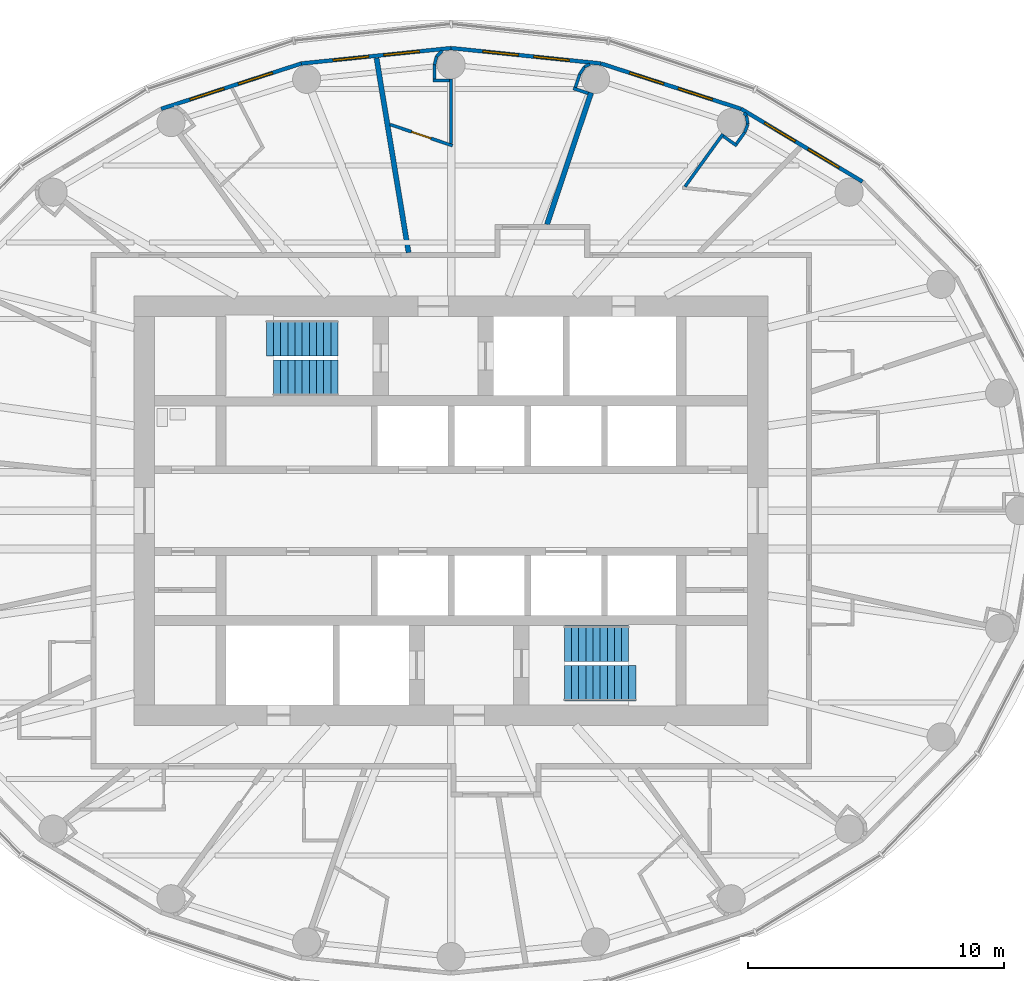
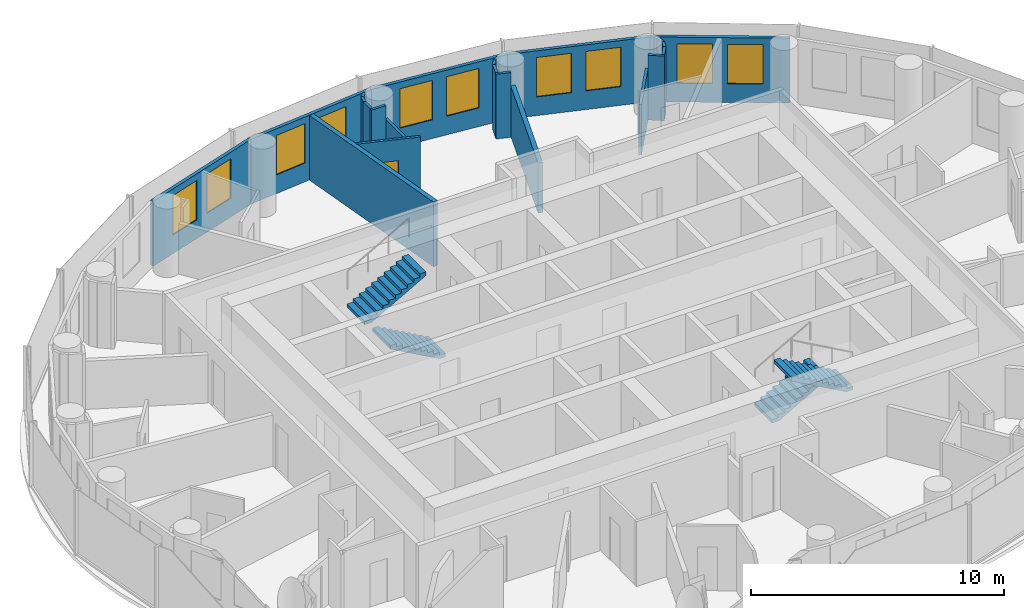
# One storey, part 12 of 14: 23 walls, 10 windows, 4 stair flights, 1 door, 11 openings, 2 elements without a shape of their own.
"""IFC4 building model written with IfcOpenShell, lengths in metres."""

import ifcopenshell
import ifcopenshell.guid

model = None  # the IFC model being written
_history = None  # IfcOwnerHistory: only IFC2X3 demands one
_inside = {}  # id of a spatial element -> (the spatial element, [elements in it])
_under = {}  # id of a project, library or spatial element -> (it, [spatial elements below it])
_declared = {}  # id of a project -> (the project, [libraries it declares])
_typed = {}  # id of a type object -> (the type object, [elements of that type])
_made_of = {}  # id of a material, layer set ... -> (it, [elements and type objects made of it])


def new_model(schema):
    """Start an empty IFC model of exactly this schema.

    Asked for "IFC4X3", IfcOpenShell would pick the latest addendum, in which some entities
    have other attributes; the version numbers below select the first issue.
    IFC2X3 requires an IfcOwnerHistory on every rooted entity: one is made here for all.
    """
    global model, _history
    if schema == "IFC4X3":
        model = ifcopenshell.file(schema_version=(4, 3, 0, 0))
    else:
        model = ifcopenshell.file(schema=schema)
    _inside.clear()
    _under.clear()
    _declared.clear()
    _typed.clear()
    _made_of.clear()
    _history = None
    if model.schema == "IFC2X3":
        org = make("IfcOrganization", Name="unknown")
        user = make(
            "IfcPersonAndOrganization",
            ThePerson=make("IfcPerson", FamilyName="unknown"),
            TheOrganization=org,
        )
        app = make(
            "IfcApplication",
            ApplicationDeveloper=org,
            Version="unknown",
            ApplicationFullName="unknown",
            ApplicationIdentifier="unknown",
        )
        _history = make(
            "IfcOwnerHistory",
            OwningUser=user,
            OwningApplication=app,
            ChangeAction="ADDED",
            CreationDate=0,
        )
    return model


def make(cls, **values):
    """One entity of the class cls with the attributes given. An attribute that is None is left unset."""
    return model.create_entity(
        cls, **{name: value for name, value in values.items() if value is not None}
    )


def rooted(cls, **values):
    """An entity with a GlobalId (a new one), such as an element, a storey or a relation."""
    return make(cls, GlobalId=ifcopenshell.guid.new(), OwnerHistory=_history, **values)


def si_unit(unit_type, name, prefix=None):
    """IfcSIUnit, for example si_unit("LENGTHUNIT", "METRE", prefix="MILLI")."""
    return make("IfcSIUnit", UnitType=unit_type, Prefix=prefix, Name=name)


def assignment(units):
    """IfcUnitAssignment: the units of a project."""
    return None if units is None else make("IfcUnitAssignment", Units=units)


def point(xyz):
    """IfcCartesianPoint."""
    return None if xyz is None else make("IfcCartesianPoint", Coordinates=xyz)


def direction(xyz):
    """IfcDirection."""
    return None if xyz is None else make("IfcDirection", DirectionRatios=xyz)


def frame(location, z_axis=None, x_axis=None):
    """IfcAxis2Placement3D, a coordinate frame: its origin and axes. An axis left out is left unset."""
    return make(
        "IfcAxis2Placement3D",
        Location=point(location),
        Axis=direction(z_axis),
        RefDirection=direction(x_axis),
    )


def frame_2d(location, x_axis=None):
    """IfcAxis2Placement2D, a coordinate frame in the plane: its origin and x axis."""
    return make(
        "IfcAxis2Placement2D", Location=point(location), RefDirection=direction(x_axis)
    )


def origin():
    """The frame at (0, 0, 0) with its axes left unset."""
    return frame((0.0, 0.0, 0.0))


def place(relative_to, where):
    """IfcLocalPlacement: puts the frame where relative to a parent placement (None: the world)."""
    return make(
        "IfcLocalPlacement", PlacementRelTo=relative_to, RelativePlacement=where
    )


def context(
    kind, dimensions, precision=None, world=None, true_north=None, identifier=None
):
    """IfcGeometricRepresentationContext, for example the 3D "Model" context."""
    return make(
        "IfcGeometricRepresentationContext",
        ContextIdentifier=identifier,
        ContextType=kind,
        CoordinateSpaceDimension=dimensions,
        Precision=precision,
        WorldCoordinateSystem=world,
        TrueNorth=true_north,
    )


def subcontext(parent, identifier, kind, view, scale=None):
    """IfcGeometricRepresentationSubContext, for example "Body" below "Model"."""
    return make(
        "IfcGeometricRepresentationSubContext",
        ContextIdentifier=identifier,
        ContextType=kind,
        ParentContext=parent,
        TargetScale=scale,
        TargetView=view,
    )


def project(units=None, contexts=None):
    """IfcProject with its units and contexts."""
    return rooted(
        "IfcProject",
        Name="project",
        RepresentationContexts=contexts,
        UnitsInContext=assignment(units),
    )


def spatial(cls, under=None, at=None, **own):
    """A site, building, storey or space (cls), placed at a placement, below another one or the project."""
    s = rooted(cls, ObjectPlacement=at, **own)
    if under is not None:
        _under.setdefault(under.id(), (under, []))[1].append(s)
    return s


def polyline(points):
    """IfcPolyline through the points."""
    return make("IfcPolyline", Points=[point(p) for p in points])


def profile(cls, at=None, kind="AREA", **sizes):
    """A parametric profile (cls). Its sizes go by their IFC names, for example OverallWidth=200.0."""
    return make(cls, ProfileType=kind, Position=at, **sizes)


def rectangle(**sizes):
    """IfcRectangleProfileDef."""
    return profile("IfcRectangleProfileDef", **sizes)


def outline(outer, holes=None, kind="AREA"):
    """IfcArbitraryClosedProfileDef: a profile drawn as a closed curve; with holes, ...WithVoids."""
    if holes is None:
        return make("IfcArbitraryClosedProfileDef", ProfileType=kind, OuterCurve=outer)
    return make(
        "IfcArbitraryProfileDefWithVoids",
        ProfileType=kind,
        OuterCurve=outer,
        InnerCurves=holes,
    )


def extrude(swept, where, along, depth):
    """IfcExtrudedAreaSolid: the profile swept, set in the frame where, extruded along a direction by depth."""
    return make(
        "IfcExtrudedAreaSolid",
        SweptArea=swept,
        Position=where,
        ExtrudedDirection=direction(along),
        Depth=depth,
    )


def shape(context_of_items, identifier, shape_type, items):
    """IfcShapeRepresentation: the items that make up one representation, for example the "Body"."""
    return make(
        "IfcShapeRepresentation",
        ContextOfItems=context_of_items,
        RepresentationIdentifier=identifier,
        RepresentationType=shape_type,
        Items=items,
    )


def material(Name=None, Category=None):
    """IfcMaterial."""
    return make("IfcMaterial", Name=Name, Category=Category)


def layer(
    of_material, thickness, ventilated=None, Name=None, Category=None, Priority=None
):
    """IfcMaterialLayer: one layer of a wall or slab, of a material (None: an air gap)."""
    return make(
        "IfcMaterialLayer",
        Material=of_material,
        LayerThickness=thickness,
        IsVentilated=ventilated,
        Name=Name,
        Category=Category,
        Priority=Priority,
    )


def layer_set(layers, Name=None):
    """IfcMaterialLayerSet."""
    return make("IfcMaterialLayerSet", MaterialLayers=layers, LayerSetName=Name)


def made_of(thing, what):
    """Note that an element or type object is made of a material, layer set ...; save() writes the relation."""
    if what is not None:
        _made_of.setdefault(what.id(), (what, []))[1].append(thing)
    return thing


def type_object(cls, material=None, **own):
    """A type object (cls), such as IfcWallType, which elements share."""
    return made_of(rooted(cls, **own), material)


def element(
    cls,
    number,
    at=None,
    inside=None,
    cuts=None,
    type_object=None,
    material=None,
    context=None,
    identifier="Body",
    shape_type=None,
    held_by="IfcProductDefinitionShape",
    body=None,
    shapes=None,
    **own,
):
    """One element of the class cls, such as IfcWall. Its Tag is "e" and its number.

    at: its placement. inside: the storey or other place that contains it. cuts: it is an
    opening in that element (IfcRelVoidsElement). A single representation is given by context,
    identifier, shape_type and body (its items); several are given by shapes. held_by: the class
    of the entity that holds the representations. save() writes the other relations.
    """
    e = rooted(cls, Tag="e%d" % number, ObjectPlacement=at, **own)
    if body is not None:
        shapes = [shape(context, identifier, shape_type, body)]
    if shapes is not None:
        e.Representation = make(held_by, Representations=shapes)
    if inside is not None:
        _inside.setdefault(inside.id(), (inside, []))[1].append(e)
    if cuts is not None:
        rooted(
            "IfcRelVoidsElement", RelatingBuildingElement=cuts, RelatedOpeningElement=e
        )
    if type_object is not None:
        _typed.setdefault(type_object.id(), (type_object, []))[1].append(e)
    return made_of(e, material)


def fill(opening, filler):
    """IfcRelFillsElement: the door or window that sits in an opening."""
    return rooted(
        "IfcRelFillsElement",
        RelatingOpeningElement=opening,
        RelatedBuildingElement=filler,
    )


def aggregate(whole, parts):
    """IfcRelAggregates: a whole, such as a stair, and the parts it consists of."""
    return rooted("IfcRelAggregates", RelatingObject=whole, RelatedObjects=parts)


def save(model, path):
    """Write the relations noted so far, then the file.

    IfcRelAggregates (storeys below a building ...), IfcRelContainedInSpatialStructure (elements
    in a storey), IfcRelDefinesByType, IfcRelAssociatesMaterial and IfcRelDeclares: one each for
    every whole, place, type object, material and project.
    """
    for whole, parts in _under.values():
        aggregate(whole, parts)
    for where, things in _inside.values():
        rooted(
            "IfcRelContainedInSpatialStructure",
            RelatedElements=things,
            RelatingStructure=where,
        )
    for kind, things in _typed.values():
        rooted("IfcRelDefinesByType", RelatedObjects=things, RelatingType=kind)
    for what, things in _made_of.values():
        rooted("IfcRelAssociatesMaterial", RelatedObjects=things, RelatingMaterial=what)
    for by, libraries in _declared.values():
        rooted("IfcRelDeclares", RelatingContext=by, RelatedDefinitions=libraries)
    model.write(path)


model = new_model("IFC4")

# Units and contexts
model_context = context("Model", 3, precision=1e-05, world=origin(), true_north=direction((0.0, 1.0)))
body_context = subcontext(model_context, "Body", "Model", "MODEL_VIEW")
ifc_project = project(units=[si_unit("LENGTHUNIT", "METRE"), si_unit("AREAUNIT", "SQUARE_METRE"), si_unit("VOLUMEUNIT", "CUBIC_METRE"), si_unit("PLANEANGLEUNIT", "RADIAN"), si_unit("MASSUNIT", "GRAM", prefix="KILO")], contexts=[model_context])

# Site, building, storey
site_placement = place(None, origin())
site = spatial("IfcSite", under=ifc_project, at=site_placement, CompositionType="ELEMENT")
building_placement = place(site_placement, origin())
building = spatial("IfcBuilding", under=site, at=building_placement, Name="Hankou Lantern Tower", CompositionType="ELEMENT")
storey_placement = place(building_placement, frame((0.0, 0.0, 176.39990234375)))
storey = spatial("IfcBuildingStorey", under=building, at=storey_placement, Name="L47", CompositionType="ELEMENT", Elevation=176.39990234375)

# Wall, openings, windows
ifc_material_1 = material(Name="Aluminium spandrel panel on steel studs", Category="steel")
ifc_layer_1 = layer(ifc_material_1, 0.14990234375)
ifc_layer_set_1 = layer_set([ifc_layer_1], Name="Aluminium spandrel panel on steel studs")
wall_type_1 = type_object("IfcWallType", Name="EW1 INNER SKIN WALL 150", PredefinedType="ELEMENTEDWALL", material=ifc_layer_set_1)
wall_1_placement = place(storey_placement, frame((16.0947265625, 12.875732421875, 0.0), z_axis=(0.0, 0.0, 1.0), x_axis=(-0.857695199231, 0.514158482587, 0.0)))
wall_1 = element("IfcWall", 1, at=wall_1_placement, inside=storey, type_object=wall_type_1, Name="Inner skin R04-R05 L47", PredefinedType="ELEMENTEDWALL", context=body_context, shape_type="SweptSolid", body=[
    extrude(rectangle(XDim=5.5361328125, YDim=0.14990234375, at=frame_2d((2.76806640625, 0.0))), origin(), (0.0, 0.0, 1.0), 3.1201171875),
])
opening_1_placement = place(wall_1_placement, frame((1.068115234375, 0.0, 0.89990234375)))
opening_1 = element("IfcOpeningElement", 2, at=opening_1_placement, cuts=wall_1, Name="Opening W3", PredefinedType="OPENING", context=body_context, shape_type="SweptSolid", body=[
    extrude(rectangle(XDim=1.39990234375, YDim=1.89990234375, at=frame_2d((0.699951171875, 0.949951171875))), frame((0.0, 0.0849609375, 0.0), z_axis=(0.0, -1.0, 0.0), x_axis=(1.0, 0.0, 0.0)), (0.0, 0.0, 1.0), 0.169921875),
])
opening_2_placement = place(wall_1_placement, frame((3.068115234375, 0.0, 0.89990234375)))
opening_2 = element("IfcOpeningElement", 3, at=opening_2_placement, cuts=wall_1, Name="Opening W3", PredefinedType="OPENING", context=body_context, shape_type="SweptSolid", body=[
    extrude(rectangle(XDim=1.39990234375, YDim=1.89990234375, at=frame_2d((0.699951171875, 0.949951171875))), frame((0.0, 0.0849609375, 0.0), z_axis=(0.0, -1.0, 0.0), x_axis=(1.0, 0.0, 0.0)), (0.0, 0.0, 1.0), 0.169921875),
])
ifc_material_2 = material(Name="Aluminium framed double glazed window", Category="aluminium")
window_type = type_object("IfcWindowType", Name="W3 GUEST ROOM WINDOW 1400X1900", PartitioningType="DOUBLE_PANEL_VERTICAL", PredefinedType="WINDOW", material=ifc_material_2)
window_1_placement = place(opening_1_placement, origin())
window_1 = element("IfcWindow", 4, at=window_1_placement, inside=storey, type_object=window_type, Name="Window R04.1 L47", OverallHeight=1.89990234375, OverallWidth=1.39990234375, PartitioningType="SINGLE_PANEL", PredefinedType="WINDOW", context=body_context, shape_type="SweptSolid", body=[
    extrude(rectangle(XDim=1.39990234375, YDim=1.89990234375, at=frame_2d((0.699951171875, 0.949951171875))), frame((0.0, 0.030029296875, 0.0), z_axis=(0.0, -1.0, 0.0), x_axis=(1.0, 0.0, 0.0)), (0.0, 0.0, 1.0), 0.06005859375),
])
fill(opening_1, window_1)
window_2_placement = place(opening_2_placement, origin())
window_2 = element("IfcWindow", 5, at=window_2_placement, inside=storey, type_object=window_type, Name="Window R04.2 L47", OverallHeight=1.89990234375, OverallWidth=1.39990234375, PartitioningType="SINGLE_PANEL", PredefinedType="WINDOW", context=body_context, shape_type="SweptSolid", body=[
    extrude(rectangle(XDim=1.39990234375, YDim=1.89990234375, at=frame_2d((0.699951171875, 0.949951171875))), frame((0.0, 0.030029296875, 0.0), z_axis=(0.0, -1.0, 0.0), x_axis=(1.0, 0.0, 0.0)), (0.0, 0.0, 1.0), 0.06005859375),
])
fill(opening_2, window_2)

wall_2_placement = place(storey_placement, frame((11.346435546875, 15.72216796875, 0.0), z_axis=(0.0, 0.0, 1.0), x_axis=(-0.951432482129, 0.307857486429, 0.0)))
wall_2 = element("IfcWall", 6, at=wall_2_placement, inside=storey, type_object=wall_type_1, Name="Inner skin R05-R06 L47", PredefinedType="ELEMENTEDWALL", context=body_context, shape_type="SweptSolid", body=[
    extrude(rectangle(XDim=5.76611328125, YDim=0.14990234375, at=frame_2d((2.883056640625, 0.0))), origin(), (0.0, 0.0, 1.0), 3.1201171875),
])
opening_3_placement = place(wall_2_placement, frame((1.18310546875, 0.0, 0.89990234375)))
opening_3 = element("IfcOpeningElement", 7, at=opening_3_placement, cuts=wall_2, Name="Opening W3", PredefinedType="OPENING", context=body_context, shape_type="SweptSolid", body=[
    extrude(rectangle(XDim=1.39990234375, YDim=1.89990234375, at=frame_2d((0.699951171875, 0.949951171875))), frame((0.0, 0.0849609375, 0.0), z_axis=(0.0, -1.0, 0.0), x_axis=(1.0, 0.0, 0.0)), (0.0, 0.0, 1.0), 0.169921875),
])
opening_4_placement = place(wall_2_placement, frame((3.18310546875, 0.0, 0.89990234375)))
opening_4 = element("IfcOpeningElement", 8, at=opening_4_placement, cuts=wall_2, Name="Opening W3", PredefinedType="OPENING", context=body_context, shape_type="SweptSolid", body=[
    extrude(rectangle(XDim=1.39990234375, YDim=1.89990234375, at=frame_2d((0.699951171875, 0.949951171875))), frame((0.0, 0.0849609375, 0.0), z_axis=(0.0, -1.0, 0.0), x_axis=(1.0, 0.0, 0.0)), (0.0, 0.0, 1.0), 0.169921875),
])
window_3_placement = place(opening_3_placement, origin())
window_3 = element("IfcWindow", 9, at=window_3_placement, inside=storey, type_object=window_type, Name="Window R05.1 L47", OverallHeight=1.89990234375, OverallWidth=1.39990234375, PartitioningType="SINGLE_PANEL", PredefinedType="WINDOW", context=body_context, shape_type="SweptSolid", body=[
    extrude(rectangle(XDim=1.39990234375, YDim=1.89990234375, at=frame_2d((0.699951171875, 0.949951171875))), frame((0.0, 0.030029296875, 0.0), z_axis=(0.0, -1.0, 0.0), x_axis=(1.0, 0.0, 0.0)), (0.0, 0.0, 1.0), 0.06005859375),
])
fill(opening_3, window_3)
window_4_placement = place(opening_4_placement, origin())
window_4 = element("IfcWindow", 10, at=window_4_placement, inside=storey, type_object=window_type, Name="Window R05.2 L47", OverallHeight=1.89990234375, OverallWidth=1.39990234375, PartitioningType="SINGLE_PANEL", PredefinedType="WINDOW", context=body_context, shape_type="SweptSolid", body=[
    extrude(rectangle(XDim=1.39990234375, YDim=1.89990234375, at=frame_2d((0.699951171875, 0.949951171875))), frame((0.0, 0.030029296875, 0.0), z_axis=(0.0, -1.0, 0.0), x_axis=(1.0, 0.0, 0.0)), (0.0, 0.0, 1.0), 0.06005859375),
])
fill(opening_4, window_4)

wall_3_placement = place(storey_placement, frame((5.8603515625, 17.497314453125, 0.0), z_axis=(0.0, 0.0, 1.0), x_axis=(-0.994751738032, 0.102318032045, 0.0)))
wall_3 = element("IfcWall", 11, at=wall_3_placement, inside=storey, type_object=wall_type_1, Name="Inner skin R06-R07 L47", PredefinedType="ELEMENTEDWALL", context=body_context, shape_type="SweptSolid", body=[
    extrude(rectangle(XDim=5.891357421875, YDim=0.14990234375, at=frame_2d((2.94580078125, 0.0))), origin(), (0.0, 0.0, 1.0), 3.1201171875),
])
opening_5_placement = place(wall_3_placement, frame((1.24560546875, 0.0, 0.89990234375)))
opening_5 = element("IfcOpeningElement", 12, at=opening_5_placement, cuts=wall_3, Name="Opening W3", PredefinedType="OPENING", context=body_context, shape_type="SweptSolid", body=[
    extrude(rectangle(XDim=1.39990234375, YDim=1.89990234375, at=frame_2d((0.699951171875, 0.949951171875))), frame((0.0, 0.0849609375, 0.0), z_axis=(0.0, -1.0, 0.0), x_axis=(1.0, 0.0, 0.0)), (0.0, 0.0, 1.0), 0.169921875),
])
opening_6_placement = place(wall_3_placement, frame((3.24560546875, 0.0, 0.89990234375)))
opening_6 = element("IfcOpeningElement", 13, at=opening_6_placement, cuts=wall_3, Name="Opening W3", PredefinedType="OPENING", context=body_context, shape_type="SweptSolid", body=[
    extrude(rectangle(XDim=1.39990234375, YDim=1.89990234375, at=frame_2d((0.699951171875, 0.949951171875))), frame((0.0, 0.0849609375, 0.0), z_axis=(0.0, -1.0, 0.0), x_axis=(1.0, 0.0, 0.0)), (0.0, 0.0, 1.0), 0.169921875),
])
window_5_placement = place(opening_5_placement, origin())
window_5 = element("IfcWindow", 14, at=window_5_placement, inside=storey, type_object=window_type, Name="Window R06.1 L47", OverallHeight=1.89990234375, OverallWidth=1.39990234375, PartitioningType="SINGLE_PANEL", PredefinedType="WINDOW", context=body_context, shape_type="SweptSolid", body=[
    extrude(rectangle(XDim=1.39990234375, YDim=1.89990234375, at=frame_2d((0.699951171875, 0.949951171875))), frame((0.0, 0.030029296875, 0.0), z_axis=(0.0, -1.0, 0.0), x_axis=(1.0, 0.0, 0.0)), (0.0, 0.0, 1.0), 0.06005859375),
])
fill(opening_5, window_5)
window_6_placement = place(opening_6_placement, origin())
window_6 = element("IfcWindow", 15, at=window_6_placement, inside=storey, type_object=window_type, Name="Window R06.2 L47", OverallHeight=1.89990234375, OverallWidth=1.39990234375, PartitioningType="SINGLE_PANEL", PredefinedType="WINDOW", context=body_context, shape_type="SweptSolid", body=[
    extrude(rectangle(XDim=1.39990234375, YDim=1.89990234375, at=frame_2d((0.699951171875, 0.949951171875))), frame((0.0, 0.030029296875, 0.0), z_axis=(0.0, -1.0, 0.0), x_axis=(1.0, 0.0, 0.0)), (0.0, 0.0, 1.0), 0.06005859375),
])
fill(opening_6, window_6)

wall_4_placement = place(storey_placement, frame((0.0, 18.10009765625, 0.0), z_axis=(0.0, 0.0, 1.0), x_axis=(-0.994751738032, -0.102318032045, 0.0)))
wall_4 = element("IfcWall", 16, at=wall_4_placement, inside=storey, type_object=wall_type_1, Name="Inner skin R07-R08 L47", PredefinedType="ELEMENTEDWALL", context=body_context, shape_type="SweptSolid", body=[
    extrude(rectangle(XDim=5.891357421875, YDim=0.14990234375, at=frame_2d((2.94580078125, 0.0))), origin(), (0.0, 0.0, 1.0), 3.1201171875),
])
opening_7_placement = place(wall_4_placement, frame((1.24560546875, 0.0, 0.89990234375)))
opening_7 = element("IfcOpeningElement", 17, at=opening_7_placement, cuts=wall_4, Name="Opening W3", PredefinedType="OPENING", context=body_context, shape_type="SweptSolid", body=[
    extrude(rectangle(XDim=1.39990234375, YDim=1.89990234375, at=frame_2d((0.699951171875, 0.949951171875))), frame((0.0, 0.0849609375, 0.0), z_axis=(0.0, -1.0, 0.0), x_axis=(1.0, 0.0, 0.0)), (0.0, 0.0, 1.0), 0.169921875),
])
opening_8_placement = place(wall_4_placement, frame((3.24560546875, 0.0, 0.89990234375)))
opening_8 = element("IfcOpeningElement", 18, at=opening_8_placement, cuts=wall_4, Name="Opening W3", PredefinedType="OPENING", context=body_context, shape_type="SweptSolid", body=[
    extrude(rectangle(XDim=1.39990234375, YDim=1.89990234375, at=frame_2d((0.699951171875, 0.949951171875))), frame((0.0, 0.0849609375, 0.0), z_axis=(0.0, -1.0, 0.0), x_axis=(1.0, 0.0, 0.0)), (0.0, 0.0, 1.0), 0.169921875),
])
window_7_placement = place(opening_7_placement, origin())
window_7 = element("IfcWindow", 19, at=window_7_placement, inside=storey, type_object=window_type, Name="Window R07.1 L47", OverallHeight=1.89990234375, OverallWidth=1.39990234375, PartitioningType="SINGLE_PANEL", PredefinedType="WINDOW", context=body_context, shape_type="SweptSolid", body=[
    extrude(rectangle(XDim=1.39990234375, YDim=1.89990234375, at=frame_2d((0.699951171875, 0.949951171875))), frame((0.0, 0.030029296875, 0.0), z_axis=(0.0, -1.0, 0.0), x_axis=(1.0, 0.0, 0.0)), (0.0, 0.0, 1.0), 0.06005859375),
])
fill(opening_7, window_7)
window_8_placement = place(opening_8_placement, origin())
window_8 = element("IfcWindow", 20, at=window_8_placement, inside=storey, type_object=window_type, Name="Window R07.2 L47", OverallHeight=1.89990234375, OverallWidth=1.39990234375, PartitioningType="SINGLE_PANEL", PredefinedType="WINDOW", context=body_context, shape_type="SweptSolid", body=[
    extrude(rectangle(XDim=1.39990234375, YDim=1.89990234375, at=frame_2d((0.699951171875, 0.949951171875))), frame((0.0, 0.030029296875, 0.0), z_axis=(0.0, -1.0, 0.0), x_axis=(1.0, 0.0, 0.0)), (0.0, 0.0, 1.0), 0.06005859375),
])
fill(opening_8, window_8)

wall_5_placement = place(storey_placement, frame((-5.8603515625, 17.497314453125, 0.0), z_axis=(0.0, 0.0, 1.0), x_axis=(-0.951432482129, -0.307857486429, 0.0)))
wall_5 = element("IfcWall", 21, at=wall_5_placement, inside=storey, type_object=wall_type_1, Name="Inner skin R08-R09 L47", PredefinedType="ELEMENTEDWALL", context=body_context, shape_type="SweptSolid", body=[
    extrude(rectangle(XDim=5.76611328125, YDim=0.14990234375, at=frame_2d((2.883056640625, 0.0))), origin(), (0.0, 0.0, 1.0), 3.1201171875),
])
opening_9_placement = place(wall_5_placement, frame((1.18310546875, 0.0, 0.89990234375)))
opening_9 = element("IfcOpeningElement", 22, at=opening_9_placement, cuts=wall_5, Name="Opening W3", PredefinedType="OPENING", context=body_context, shape_type="SweptSolid", body=[
    extrude(rectangle(XDim=1.39990234375, YDim=1.89990234375, at=frame_2d((0.699951171875, 0.949951171875))), frame((0.0, 0.0849609375, 0.0), z_axis=(0.0, -1.0, 0.0), x_axis=(1.0, 0.0, 0.0)), (0.0, 0.0, 1.0), 0.169921875),
])
opening_10_placement = place(wall_5_placement, frame((3.18310546875, 0.0, 0.89990234375)))
opening_10 = element("IfcOpeningElement", 23, at=opening_10_placement, cuts=wall_5, Name="Opening W3", PredefinedType="OPENING", context=body_context, shape_type="SweptSolid", body=[
    extrude(rectangle(XDim=1.39990234375, YDim=1.89990234375, at=frame_2d((0.699951171875, 0.949951171875))), frame((0.0, 0.0849609375, 0.0), z_axis=(0.0, -1.0, 0.0), x_axis=(1.0, 0.0, 0.0)), (0.0, 0.0, 1.0), 0.169921875),
])
window_9_placement = place(opening_9_placement, origin())
window_9 = element("IfcWindow", 24, at=window_9_placement, inside=storey, type_object=window_type, Name="Window R08.1 L47", OverallHeight=1.89990234375, OverallWidth=1.39990234375, PartitioningType="SINGLE_PANEL", PredefinedType="WINDOW", context=body_context, shape_type="SweptSolid", body=[
    extrude(rectangle(XDim=1.39990234375, YDim=1.89990234375, at=frame_2d((0.699951171875, 0.949951171875))), frame((0.0, 0.030029296875, 0.0), z_axis=(0.0, -1.0, 0.0), x_axis=(1.0, 0.0, 0.0)), (0.0, 0.0, 1.0), 0.06005859375),
])
fill(opening_9, window_9)
window_10_placement = place(opening_10_placement, origin())
window_10 = element("IfcWindow", 25, at=window_10_placement, inside=storey, type_object=window_type, Name="Window R08.2 L47", OverallHeight=1.89990234375, OverallWidth=1.39990234375, PartitioningType="SINGLE_PANEL", PredefinedType="WINDOW", context=body_context, shape_type="SweptSolid", body=[
    extrude(rectangle(XDim=1.39990234375, YDim=1.89990234375, at=frame_2d((0.699951171875, 0.949951171875))), frame((0.0, 0.030029296875, 0.0), z_axis=(0.0, -1.0, 0.0), x_axis=(1.0, 0.0, 0.0)), (0.0, 0.0, 1.0), 0.06005859375),
])
fill(opening_10, window_10)

# Walls
ifc_material_3 = material(Name="Masonry lightweight concrete block", Category="masonry")
ifc_layer_2 = layer(ifc_material_3, 0.199951171875)
ifc_layer_set_2 = layer_set([ifc_layer_2], Name="Masonry lightweight concrete block")
wall_type_2 = type_object("IfcWallType", Name="IW1 GUEST ROOM PARTY WALL 200", PredefinedType="PARTITIONING", material=ifc_layer_set_2)
wall_6_placement = place(storey_placement, frame((3.751220703125, 11.199951171875, 0.0), z_axis=(0.0, 0.0, 1.0), x_axis=(0.317614803807, 0.948219824937, 0.0)))
element("IfcWall", 26, at=wall_6_placement, inside=storey, type_object=wall_type_2, Name="Party wall R06", PredefinedType="PARTITIONING", context=body_context, shape_type="SweptSolid", body=[
    extrude(rectangle(XDim=5.4375, YDim=0.199951171875, at=frame_2d((2.71875, 0.0))), origin(), (0.0, 0.0, 1.0), 2.420166015625),
])
wall_7_placement = place(storey_placement, frame((-1.66552734375, 10.10009765625, 0.0), z_axis=(0.0, 0.0, 1.0), x_axis=(-0.162669562982, 0.986680603478, 0.0)))
element("IfcWall", 27, at=wall_7_placement, inside=storey, type_object=wall_type_2, Name="Party wall R07-R08", PredefinedType="PARTITIONING", context=body_context, shape_type="SweptSolid", body=[
    extrude(rectangle(XDim=7.7158203125, YDim=0.199951171875, at=frame_2d((3.85791015625, 0.0))), origin(), (0.0, 0.0, 1.0), 3.1201171875),
])
ifc_material_4 = material(Name="Masonry lightweight concrete block", Category="masonry")
ifc_layer_3 = layer(ifc_material_4, 0.1201171875)
ifc_layer_set_3 = layer_set([ifc_layer_3], Name="Masonry lightweight concrete block")
wall_type_3 = type_object("IfcWallType", Name="IW3 BATHROOM WALL 120", PredefinedType="PARTITIONING", material=ifc_layer_set_3)
wall_8_placement = place(storey_placement, frame((9.1513671875, 12.6806640625, 0.0), z_axis=(0.0, 0.0, 1.0), x_axis=(0.585258912334, 0.8108464747, 0.0)))
element("IfcWall", 28, at=wall_8_placement, inside=storey, type_object=wall_type_3, Name="Box wall 4708 2", PredefinedType="PARTITIONING", context=body_context, shape_type="SweptSolid", body=[
    extrude(rectangle(XDim=2.5400390625, YDim=0.1201171875, at=frame_2d((1.27001953125, 0.0))), origin(), (0.0, 0.0, 1.0), 2.420166015625),
])
wall_9_placement = place(storey_placement, frame((10.6513671875, 14.656494140625, 0.0), z_axis=(0.0, 0.0, 1.0), x_axis=(0.810916094797, -0.585162445137, 0.0)))
element("IfcWall", 29, at=wall_9_placement, inside=storey, type_object=wall_type_3, Name="Column casing 4708 return", PredefinedType="PARTITIONING", context=body_context, shape_type="SweptSolid", body=[
    extrude(rectangle(XDim=0.652099609375, YDim=0.1201171875, at=frame_2d((0.326171875, 0.0))), origin(), (0.0, 0.0, 1.0), 3.1201171875),
])
wall_10_placement = place(storey_placement, frame((11.166748046875, 14.358642578125, 0.0), z_axis=(0.0, 0.0, 1.0), x_axis=(0.585263549799, 0.810843127415, 0.0)))
element("IfcWall", 30, at=wall_10_placement, inside=storey, type_object=wall_type_3, Name="Column casing 4708", PredefinedType="PARTITIONING", context=body_context, shape_type="SweptSolid", body=[
    extrude(rectangle(XDim=0.5498046875, YDim=0.1201171875, at=frame_2d((0.27490234375, 0.0))), origin(), (0.0, 0.0, 1.0), 3.1201171875),
])
for number, where, z_axis, x_axis, name in (
    (31, (11.488525390625, 14.804443359375, 0.0), (0.0, 0.0, 1.0), (0.355634599475, 0.934625075448, 0.0), "Column casing 4708"),
    (32, (11.608642578125, 15.1201171875, 0.0), (0.0, 0.0, 1.0), (-0.159823572519, 0.987145594969, 0.0), "Column casing 4708"),
):
    element("IfcWall", number, at=place(storey_placement, frame(where, z_axis=z_axis, x_axis=x_axis)), inside=storey, type_object=wall_type_3, Name=name, PredefinedType="PARTITIONING", context=body_context, shape_type="SweptSolid", body=[
        extrude(rectangle(XDim=0.337646484375, YDim=0.1201171875, at=frame_2d((0.1689453125, 0.0))), origin(), (0.0, 0.0, 1.0), 3.1201171875),
    ])
wall_11_placement = place(storey_placement, frame((11.5546875, 15.453369140625, 0.0), z_axis=(0.0, 0.0, 1.0), x_axis=(-0.631711901025, 0.775203246964, 0.0)))
element("IfcWall", 33, at=wall_11_placement, inside=storey, type_object=wall_type_3, Name="Column casing 4708", PredefinedType="PARTITIONING", context=body_context, shape_type="SweptSolid", body=[
    extrude(rectangle(XDim=0.139404296875, YDim=0.1201171875, at=frame_2d((0.06982421875, 0.0))), origin(), (0.0, 0.0, 1.0), 3.1201171875),
])

# Wall, opening, door
wall_12_placement = place(storey_placement, frame((-2.390380859375, 15.111328125, 0.0), z_axis=(0.0, 0.0, 1.0), x_axis=(0.946949953534, -0.321381059649, 0.0)))
wall_12 = element("IfcWall", 34, at=wall_12_placement, inside=storey, type_object=wall_type_3, Name="Box wall 4709 1", PredefinedType="PARTITIONING", context=body_context, shape_type="SweptSolid", body=[
    extrude(rectangle(XDim=2.58447265625, YDim=0.1201171875, at=frame_2d((1.292236328125, 0.0))), origin(), (0.0, 0.0, 1.0), 3.1201171875),
])
opening_11_placement = place(wall_12_placement, frame((0.89208984375, 0.0, 0.0)))
opening_11 = element("IfcOpeningElement", 35, at=opening_11_placement, cuts=wall_12, Name="Opening D3", PredefinedType="OPENING", context=body_context, shape_type="SweptSolid", body=[
    extrude(rectangle(XDim=0.800048828125, YDim=2.10009765625, at=frame_2d((0.39990234375, 1.050048828125))), frame((0.0, 0.070068359375, 0.0), z_axis=(0.0, -1.0, 0.0), x_axis=(1.0, 0.0, 0.0)), (0.0, 0.0, 1.0), 0.14013671875),
])
ifc_material_5 = material(Name="Timber door leaf", Category="wood")
door_type = type_object("IfcDoorType", Name="D3 BATHROOM DOOR 800X2100", OperationType="SINGLE_SWING_LEFT", PredefinedType="DOOR", material=ifc_material_5)
door_placement = place(opening_11_placement, origin())
door = element("IfcDoor", 36, at=door_placement, inside=storey, type_object=door_type, Name="En-suite bathroom 4709 door", OperationType="SINGLE_SWING_RIGHT", OverallHeight=2.10009765625, OverallWidth=0.800048828125, PredefinedType="DOOR", context=body_context, shape_type="SweptSolid", body=[
    extrude(rectangle(XDim=0.800048828125, YDim=2.10009765625, at=frame_2d((0.39990234375, 1.050048828125))), frame((0.0, 0.02490234375, 0.0), z_axis=(0.0, -1.0, 0.0), x_axis=(1.0, 0.0, 0.0)), (0.0, 0.0, 1.0), 0.050048828125),
])
fill(opening_11, door)

# Walls
wall_13_placement = place(storey_placement, frame((0.0, 14.360107421875, 0.0), z_axis=(0.0, 0.0, 1.0), x_axis=(0.0, 1.0, 0.0)))
element("IfcWall", 37, at=wall_13_placement, inside=storey, type_object=wall_type_3, Name="Box wall 4709 2", PredefinedType="PARTITIONING", context=body_context, shape_type="SweptSolid", body=[
    extrude(rectangle(XDim=2.539794921875, YDim=0.1201171875, at=frame_2d((1.27001953125, 0.0))), origin(), (0.0, 0.0, 1.0), 2.420166015625),
])
wall_14_placement = place(storey_placement, frame((-0.06005859375, 16.840087890625, 0.0), z_axis=(0.0, 0.0, 1.0), x_axis=(-1.0, 0.0, 0.0)))
element("IfcWall", 38, at=wall_14_placement, inside=storey, type_object=wall_type_3, Name="Column casing 4709 return", PredefinedType="PARTITIONING", context=body_context, shape_type="SweptSolid", body=[
    extrude(rectangle(XDim=0.652099609375, YDim=0.1201171875, at=frame_2d((0.326171875, 0.0))), origin(), (0.0, 0.0, 1.0), 3.1201171875),
])
wall_15_placement = place(storey_placement, frame((-0.65234375, 16.89990234375, 0.0), z_axis=(0.0, 0.0, 1.0), x_axis=(0.0, 1.0, 0.0)))
element("IfcWall", 39, at=wall_15_placement, inside=storey, type_object=wall_type_3, Name="Column casing 4709", PredefinedType="PARTITIONING", context=body_context, shape_type="SweptSolid", body=[
    extrude(rectangle(XDim=0.550048828125, YDim=0.1201171875, at=frame_2d((0.27490234375, 0.0))), origin(), (0.0, 0.0, 1.0), 3.1201171875),
])
wall_16_placement = place(storey_placement, frame((-0.65234375, 17.449951171875, 0.0), z_axis=(0.0, 0.0, 1.0), x_axis=(0.258832454679, 0.965922233104, 0.0)))
element("IfcWall", 40, at=wall_16_placement, inside=storey, type_object=wall_type_3, Name="Column casing 4709", PredefinedType="PARTITIONING", context=body_context, shape_type="SweptSolid", body=[
    extrude(rectangle(XDim=0.337646484375, YDim=0.1201171875, at=frame_2d((0.1689453125, 0.0))), origin(), (0.0, 0.0, 1.0), 3.1201171875),
])
wall_17_placement = place(storey_placement, frame((-0.56494140625, 17.776123046875, 0.0), z_axis=(0.0, 0.0, 1.0), x_axis=(0.707106781187, 0.707106781187, 0.0)))
element("IfcWall", 41, at=wall_17_placement, inside=storey, type_object=wall_type_3, Name="Column casing 4709", PredefinedType="PARTITIONING", context=body_context, shape_type="SweptSolid", body=[
    extrude(rectangle(XDim=0.30078125, YDim=0.1201171875, at=frame_2d((0.150390625, 0.0))), origin(), (0.0, 0.0, 1.0), 3.1201171875),
])
ifc_material_6 = material(Name="Masonry lightweight concrete block", Category="masonry")
ifc_layer_4 = layer(ifc_material_6, 0.1201171875)
ifc_layer_set_4 = layer_set([ifc_layer_4], Name="Masonry lightweight concrete block")
wall_type_4 = type_object("IfcWallType", Name="IW4 PARTITION 120", PredefinedType="PARTITIONING", material=ifc_layer_set_4)
wall_18_placement = place(storey_placement, frame((5.3642578125, 16.330810546875, 0.0), z_axis=(0.0, 0.0, 1.0), x_axis=(-0.948283770087, 0.317423835572, 0.0)))
element("IfcWall", 42, at=wall_18_placement, inside=storey, type_object=wall_type_4, Name="Column casing R06 return", PredefinedType="PARTITIONING", context=body_context, shape_type="SweptSolid", body=[
    extrude(rectangle(XDim=0.6123046875, YDim=0.1201171875, at=frame_2d((0.30615234375, 0.0))), origin(), (0.0, 0.0, 1.0), 3.1201171875),
])
wall_19_placement = place(storey_placement, frame((4.859619140625, 16.56298828125, 0.0), z_axis=(0.0, 0.0, 1.0), x_axis=(0.317825321803, 0.948149284038, 0.0)))
element("IfcWall", 43, at=wall_19_placement, inside=storey, type_object=wall_type_4, Name="Column casing R06", PredefinedType="PARTITIONING", context=body_context, shape_type="SweptSolid", body=[
    extrude(rectangle(XDim=0.550048828125, YDim=0.1201171875, at=frame_2d((0.27490234375, 0.0))), origin(), (0.0, 0.0, 1.0), 3.1201171875),
])
wall_20_placement = place(storey_placement, frame((5.034423828125, 17.08447265625, 0.0), z_axis=(0.0, 0.0, 1.0), x_axis=(0.552362205726, 0.833604218851, 0.0)))
element("IfcWall", 44, at=wall_20_placement, inside=storey, type_object=wall_type_4, Name="Column casing R06", PredefinedType="PARTITIONING", context=body_context, shape_type="SweptSolid", body=[
    extrude(rectangle(XDim=0.337646484375, YDim=0.1201171875, at=frame_2d((0.1689453125, 0.0))), origin(), (0.0, 0.0, 1.0), 3.1201171875),
])
wall_21_placement = place(storey_placement, frame((5.220947265625, 17.365966796875, 0.0), z_axis=(0.0, 0.0, 1.0), x_axis=(0.895067896179, 0.445929883759, 0.0)))
element("IfcWall", 45, at=wall_21_placement, inside=storey, type_object=wall_type_4, Name="Column casing R06", PredefinedType="PARTITIONING", context=body_context, shape_type="SweptSolid", body=[
    extrude(rectangle(XDim=0.228271484375, YDim=0.1201171875, at=frame_2d((0.1142578125, 0.0))), origin(), (0.0, 0.0, 1.0), 3.1201171875),
])

# Stair, stair flight
ifc_material_7 = material(Name="Concrete C40", Category="concrete")
stair_type = type_object("IfcStairType", Name="ST33 CORE STAIR 3300 RISE", PredefinedType="HALF_TURN_STAIR", material=ifc_material_7)
stair_1_placement = place(storey_placement, origin())
stair_1 = element("IfcStair", 46, at=stair_1_placement, inside=storey, type_object=stair_type, Name="Stair STA L47", PredefinedType="HALF_TURN_STAIR")
ifc_material_8 = material(Name="Concrete C40", Category="concrete")
stair_flight_type_1 = type_object("IfcStairFlightType", Name="CF10 CORE STAIR FLIGHT 1400 X 10 RISERS", PredefinedType="STRAIGHT", material=ifc_material_8)
stair_flight_1_placement = place(storey_placement, frame((-4.429931640625, 5.199951171875, 0.0), z_axis=(0.0, 0.0, 1.0), x_axis=(-1.0, 0.0, 0.0)))
stair_flight_1 = element("IfcStairFlight", 47, at=stair_flight_1_placement, type_object=stair_flight_type_1, Name="STA flight 1", NumberOfRisers=10, NumberOfTreads=9, PredefinedType="STRAIGHT", RiserHeight=0.157142857, TreadLength=0.28, context=body_context, shape_type="SweptSolid", body=[
    extrude(outline(polyline([(0.0, 0.0), (0.0, 0.1572265625), (0.280029296875, 0.1572265625), (0.280029296875, 0.314208984375), (0.56005859375, 0.314208984375), (0.56005859375, 0.471435546875), (0.840087890625, 0.471435546875), (0.840087890625, 0.628662109375), (1.1201171875, 0.628662109375), (1.1201171875, 0.78564453125), (1.39990234375, 0.78564453125), (1.39990234375, 0.94287109375), (1.679931640625, 0.94287109375), (1.679931640625, 1.10009765625), (1.9599609375, 1.10009765625), (1.9599609375, 1.257080078125), (2.239990234375, 1.257080078125), (2.239990234375, 1.414306640625), (2.52001953125, 1.414306640625), (2.52001953125, 1.571533203125), (2.52001953125, 1.242431640625), (0.306396484375, 0.0), (0.0, 0.0)])), frame((0.0, 0.699951171875, 0.0), z_axis=(0.0, -1.0, 0.0), x_axis=(1.0, 0.0, 0.0)), (0.0, 0.0, 1.0), 1.39990234375),
])

stair_2_placement = place(storey_placement, origin())
stair_2 = element("IfcStair", 48, at=stair_2_placement, inside=storey, type_object=stair_type, Name="Stair STB L47", PredefinedType="HALF_TURN_STAIR")
stair_flight_2_placement = place(storey_placement, frame((4.429931640625, -5.199951171875, 0.0), z_axis=(0.0, 0.0, 1.0), x_axis=(1.0, 0.0, 0.0)))
stair_flight_2 = element("IfcStairFlight", 49, at=stair_flight_2_placement, type_object=stair_flight_type_1, Name="STB flight 1", NumberOfRisers=10, NumberOfTreads=9, PredefinedType="STRAIGHT", RiserHeight=0.157142857, TreadLength=0.28, context=body_context, shape_type="SweptSolid", body=[
    extrude(outline(polyline([(0.0, 0.0), (0.0, 0.1572265625), (0.280029296875, 0.1572265625), (0.280029296875, 0.314208984375), (0.56005859375, 0.314208984375), (0.56005859375, 0.471435546875), (0.840087890625, 0.471435546875), (0.840087890625, 0.628662109375), (1.1201171875, 0.628662109375), (1.1201171875, 0.78564453125), (1.39990234375, 0.78564453125), (1.39990234375, 0.94287109375), (1.679931640625, 0.94287109375), (1.679931640625, 1.10009765625), (1.9599609375, 1.10009765625), (1.9599609375, 1.257080078125), (2.239990234375, 1.257080078125), (2.239990234375, 1.414306640625), (2.52001953125, 1.414306640625), (2.52001953125, 1.571533203125), (2.52001953125, 1.242431640625), (0.306396484375, 0.0), (0.0, 0.0)])), frame((0.0, 0.699951171875, 0.0), z_axis=(0.0, -1.0, 0.0), x_axis=(1.0, 0.0, 0.0)), (0.0, 0.0, 1.0), 1.39990234375),
])

# Stair flight
ifc_material_9 = material(Name="Concrete C40", Category="concrete")
stair_flight_type_2 = type_object("IfcStairFlightType", Name="CF11 CORE STAIR FLIGHT 1400 X 11 RISERS", PredefinedType="STRAIGHT", material=ifc_material_9)
stair_flight_3_placement = place(storey_placement, frame((-7.22998046875, 6.75, 1.571533203125), z_axis=(0.0, 0.0, 1.0), x_axis=(1.0, 0.0, 0.0)))
stair_flight_3 = element("IfcStairFlight", 50, at=stair_flight_3_placement, type_object=stair_flight_type_2, Name="STA flight 2", NumberOfRisers=11, NumberOfTreads=10, PredefinedType="STRAIGHT", RiserHeight=0.157142857, TreadLength=0.28, context=body_context, shape_type="SweptSolid", body=[
    extrude(outline(polyline([(0.0, 0.0), (0.0, 0.1572265625), (0.280029296875, 0.1572265625), (0.280029296875, 0.314208984375), (0.56005859375, 0.314208984375), (0.56005859375, 0.471435546875), (0.840087890625, 0.471435546875), (0.840087890625, 0.628662109375), (1.1201171875, 0.628662109375), (1.1201171875, 0.78564453125), (1.39990234375, 0.78564453125), (1.39990234375, 0.94287109375), (1.679931640625, 0.94287109375), (1.679931640625, 1.10009765625), (1.9599609375, 1.10009765625), (1.9599609375, 1.257080078125), (2.239990234375, 1.257080078125), (2.239990234375, 1.414306640625), (2.52001953125, 1.414306640625), (2.52001953125, 1.571533203125), (2.800048828125, 1.571533203125), (2.800048828125, 1.728515625), (2.800048828125, 1.3994140625), (0.306396484375, 0.0), (0.0, 0.0)])), frame((0.0, 0.699951171875, 0.0), z_axis=(0.0, -1.0, 0.0), x_axis=(1.0, 0.0, 0.0)), (0.0, 0.0, 1.0), 1.39990234375),
])

aggregate(stair_1, [stair_flight_1, stair_flight_3])

stair_flight_4_placement = place(storey_placement, frame((7.22998046875, -6.75, 1.571533203125), z_axis=(0.0, 0.0, 1.0), x_axis=(-1.0, 0.0, 0.0)))
stair_flight_4 = element("IfcStairFlight", 51, at=stair_flight_4_placement, type_object=stair_flight_type_2, Name="STB flight 2", NumberOfRisers=11, NumberOfTreads=10, PredefinedType="STRAIGHT", RiserHeight=0.157142857, TreadLength=0.28, context=body_context, shape_type="SweptSolid", body=[
    extrude(outline(polyline([(0.0, 0.0), (0.0, 0.1572265625), (0.280029296875, 0.1572265625), (0.280029296875, 0.314208984375), (0.56005859375, 0.314208984375), (0.56005859375, 0.471435546875), (0.840087890625, 0.471435546875), (0.840087890625, 0.628662109375), (1.1201171875, 0.628662109375), (1.1201171875, 0.78564453125), (1.39990234375, 0.78564453125), (1.39990234375, 0.94287109375), (1.679931640625, 0.94287109375), (1.679931640625, 1.10009765625), (1.9599609375, 1.10009765625), (1.9599609375, 1.257080078125), (2.239990234375, 1.257080078125), (2.239990234375, 1.414306640625), (2.52001953125, 1.414306640625), (2.52001953125, 1.571533203125), (2.800048828125, 1.571533203125), (2.800048828125, 1.728515625), (2.800048828125, 1.3994140625), (0.306396484375, 0.0), (0.0, 0.0)])), frame((0.0, 0.699951171875, 0.0), z_axis=(0.0, -1.0, 0.0), x_axis=(1.0, 0.0, 0.0)), (0.0, 0.0, 1.0), 1.39990234375),
])

aggregate(stair_2, [stair_flight_2, stair_flight_4])

save(model, "model.ifc")
